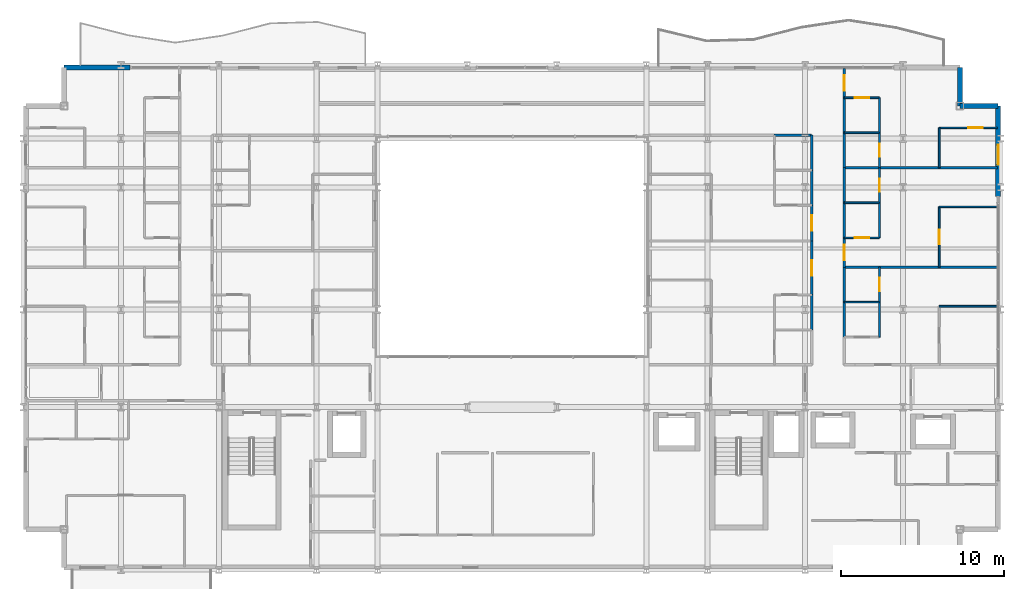
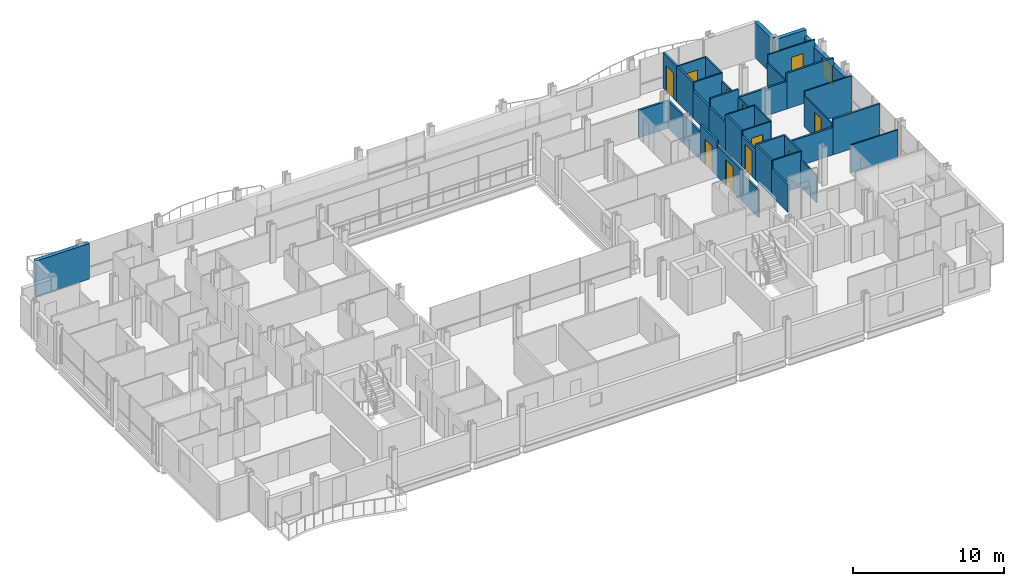
# One storey, part 36 of 40: 40 walls, 11 doors, 1 window, 12 openings.
"""IFC4 building model written with IfcOpenShell, lengths in metres."""

import ifcopenshell
import ifcopenshell.guid

model = None  # the IFC model being written
_history = None  # IfcOwnerHistory: only IFC2X3 demands one
_inside = {}  # id of a spatial element -> (the spatial element, [elements in it])
_under = {}  # id of a project, library or spatial element -> (it, [spatial elements below it])
_declared = {}  # id of a project -> (the project, [libraries it declares])
_typed = {}  # id of a type object -> (the type object, [elements of that type])
_made_of = {}  # id of a material, layer set ... -> (it, [elements and type objects made of it])


def new_model(schema):
    """Start an empty IFC model of exactly this schema.

    Asked for "IFC4X3", IfcOpenShell would pick the latest addendum, in which some entities
    have other attributes; the version numbers below select the first issue.
    IFC2X3 requires an IfcOwnerHistory on every rooted entity: one is made here for all.
    """
    global model, _history
    if schema == "IFC4X3":
        model = ifcopenshell.file(schema_version=(4, 3, 0, 0))
    else:
        model = ifcopenshell.file(schema=schema)
    _inside.clear()
    _under.clear()
    _declared.clear()
    _typed.clear()
    _made_of.clear()
    _history = None
    if model.schema == "IFC2X3":
        org = make("IfcOrganization", Name="unknown")
        user = make(
            "IfcPersonAndOrganization",
            ThePerson=make("IfcPerson", FamilyName="unknown"),
            TheOrganization=org,
        )
        app = make(
            "IfcApplication",
            ApplicationDeveloper=org,
            Version="unknown",
            ApplicationFullName="unknown",
            ApplicationIdentifier="unknown",
        )
        _history = make(
            "IfcOwnerHistory",
            OwningUser=user,
            OwningApplication=app,
            ChangeAction="ADDED",
            CreationDate=0,
        )
    return model


def make(cls, **values):
    """One entity of the class cls with the attributes given. An attribute that is None is left unset."""
    return model.create_entity(
        cls, **{name: value for name, value in values.items() if value is not None}
    )


def rooted(cls, **values):
    """An entity with a GlobalId (a new one), such as an element, a storey or a relation."""
    return make(cls, GlobalId=ifcopenshell.guid.new(), OwnerHistory=_history, **values)


def si_unit(unit_type, name, prefix=None):
    """IfcSIUnit, for example si_unit("LENGTHUNIT", "METRE", prefix="MILLI")."""
    return make("IfcSIUnit", UnitType=unit_type, Prefix=prefix, Name=name)


def assignment(units):
    """IfcUnitAssignment: the units of a project."""
    return None if units is None else make("IfcUnitAssignment", Units=units)


def point(xyz):
    """IfcCartesianPoint."""
    return None if xyz is None else make("IfcCartesianPoint", Coordinates=xyz)


def direction(xyz):
    """IfcDirection."""
    return None if xyz is None else make("IfcDirection", DirectionRatios=xyz)


def frame(location, z_axis=None, x_axis=None):
    """IfcAxis2Placement3D, a coordinate frame: its origin and axes. An axis left out is left unset."""
    return make(
        "IfcAxis2Placement3D",
        Location=point(location),
        Axis=direction(z_axis),
        RefDirection=direction(x_axis),
    )


def frame_2d(location, x_axis=None):
    """IfcAxis2Placement2D, a coordinate frame in the plane: its origin and x axis."""
    return make(
        "IfcAxis2Placement2D", Location=point(location), RefDirection=direction(x_axis)
    )


def origin():
    """The frame at (0, 0, 0) with its axes left unset."""
    return frame((0.0, 0.0, 0.0))


def place(relative_to, where):
    """IfcLocalPlacement: puts the frame where relative to a parent placement (None: the world)."""
    return make(
        "IfcLocalPlacement", PlacementRelTo=relative_to, RelativePlacement=where
    )


def context(
    kind, dimensions, precision=None, world=None, true_north=None, identifier=None
):
    """IfcGeometricRepresentationContext, for example the 3D "Model" context."""
    return make(
        "IfcGeometricRepresentationContext",
        ContextIdentifier=identifier,
        ContextType=kind,
        CoordinateSpaceDimension=dimensions,
        Precision=precision,
        WorldCoordinateSystem=world,
        TrueNorth=true_north,
    )


def subcontext(parent, identifier, kind, view, scale=None):
    """IfcGeometricRepresentationSubContext, for example "Body" below "Model"."""
    return make(
        "IfcGeometricRepresentationSubContext",
        ContextIdentifier=identifier,
        ContextType=kind,
        ParentContext=parent,
        TargetScale=scale,
        TargetView=view,
    )


def project(units=None, contexts=None):
    """IfcProject with its units and contexts."""
    return rooted(
        "IfcProject",
        Name="project",
        RepresentationContexts=contexts,
        UnitsInContext=assignment(units),
    )


def spatial(cls, under=None, at=None, **own):
    """A site, building, storey or space (cls), placed at a placement, below another one or the project."""
    s = rooted(cls, ObjectPlacement=at, **own)
    if under is not None:
        _under.setdefault(under.id(), (under, []))[1].append(s)
    return s


def profile(cls, at=None, kind="AREA", **sizes):
    """A parametric profile (cls). Its sizes go by their IFC names, for example OverallWidth=200.0."""
    return make(cls, ProfileType=kind, Position=at, **sizes)


def rectangle(**sizes):
    """IfcRectangleProfileDef."""
    return profile("IfcRectangleProfileDef", **sizes)


def extrude(swept, where, along, depth):
    """IfcExtrudedAreaSolid: the profile swept, set in the frame where, extruded along a direction by depth."""
    return make(
        "IfcExtrudedAreaSolid",
        SweptArea=swept,
        Position=where,
        ExtrudedDirection=direction(along),
        Depth=depth,
    )


def shape(context_of_items, identifier, shape_type, items):
    """IfcShapeRepresentation: the items that make up one representation, for example the "Body"."""
    return make(
        "IfcShapeRepresentation",
        ContextOfItems=context_of_items,
        RepresentationIdentifier=identifier,
        RepresentationType=shape_type,
        Items=items,
    )


def material(Name=None, Category=None):
    """IfcMaterial."""
    return make("IfcMaterial", Name=Name, Category=Category)


def layer(
    of_material, thickness, ventilated=None, Name=None, Category=None, Priority=None
):
    """IfcMaterialLayer: one layer of a wall or slab, of a material (None: an air gap)."""
    return make(
        "IfcMaterialLayer",
        Material=of_material,
        LayerThickness=thickness,
        IsVentilated=ventilated,
        Name=Name,
        Category=Category,
        Priority=Priority,
    )


def layer_set(layers, Name=None):
    """IfcMaterialLayerSet."""
    return make("IfcMaterialLayerSet", MaterialLayers=layers, LayerSetName=Name)


def made_of(thing, what):
    """Note that an element or type object is made of a material, layer set ...; save() writes the relation."""
    if what is not None:
        _made_of.setdefault(what.id(), (what, []))[1].append(thing)
    return thing


def type_object(cls, material=None, **own):
    """A type object (cls), such as IfcWallType, which elements share."""
    return made_of(rooted(cls, **own), material)


def element(
    cls,
    number,
    at=None,
    inside=None,
    cuts=None,
    type_object=None,
    material=None,
    context=None,
    identifier="Body",
    shape_type=None,
    held_by="IfcProductDefinitionShape",
    body=None,
    shapes=None,
    **own,
):
    """One element of the class cls, such as IfcWall. Its Tag is "e" and its number.

    at: its placement. inside: the storey or other place that contains it. cuts: it is an
    opening in that element (IfcRelVoidsElement). A single representation is given by context,
    identifier, shape_type and body (its items); several are given by shapes. held_by: the class
    of the entity that holds the representations. save() writes the other relations.
    """
    e = rooted(cls, Tag="e%d" % number, ObjectPlacement=at, **own)
    if body is not None:
        shapes = [shape(context, identifier, shape_type, body)]
    if shapes is not None:
        e.Representation = make(held_by, Representations=shapes)
    if inside is not None:
        _inside.setdefault(inside.id(), (inside, []))[1].append(e)
    if cuts is not None:
        rooted(
            "IfcRelVoidsElement", RelatingBuildingElement=cuts, RelatedOpeningElement=e
        )
    if type_object is not None:
        _typed.setdefault(type_object.id(), (type_object, []))[1].append(e)
    return made_of(e, material)


def fill(opening, filler):
    """IfcRelFillsElement: the door or window that sits in an opening."""
    return rooted(
        "IfcRelFillsElement",
        RelatingOpeningElement=opening,
        RelatedBuildingElement=filler,
    )


def aggregate(whole, parts):
    """IfcRelAggregates: a whole, such as a stair, and the parts it consists of."""
    return rooted("IfcRelAggregates", RelatingObject=whole, RelatedObjects=parts)


def save(model, path):
    """Write the relations noted so far, then the file.

    IfcRelAggregates (storeys below a building ...), IfcRelContainedInSpatialStructure (elements
    in a storey), IfcRelDefinesByType, IfcRelAssociatesMaterial and IfcRelDeclares: one each for
    every whole, place, type object, material and project.
    """
    for whole, parts in _under.values():
        aggregate(whole, parts)
    for where, things in _inside.values():
        rooted(
            "IfcRelContainedInSpatialStructure",
            RelatedElements=things,
            RelatingStructure=where,
        )
    for kind, things in _typed.values():
        rooted("IfcRelDefinesByType", RelatedObjects=things, RelatingType=kind)
    for what, things in _made_of.values():
        rooted("IfcRelAssociatesMaterial", RelatedObjects=things, RelatingMaterial=what)
    for by, libraries in _declared.values():
        rooted("IfcRelDeclares", RelatingContext=by, RelatedDefinitions=libraries)
    model.write(path)


model = new_model("IFC4")

# Units and contexts
model_context = context("Model", 3, precision=1e-05, world=origin(), true_north=direction((0.0, 1.0)))
body_context = subcontext(model_context, "Body", "Model", "MODEL_VIEW")
ifc_project = project(units=[si_unit("LENGTHUNIT", "METRE"), si_unit("AREAUNIT", "SQUARE_METRE"), si_unit("VOLUMEUNIT", "CUBIC_METRE"), si_unit("PLANEANGLEUNIT", "RADIAN"), si_unit("MASSUNIT", "GRAM", prefix="KILO")], contexts=[model_context])

# Site, building, storey
site_placement = place(None, origin())
site = spatial("IfcSite", under=ifc_project, at=site_placement, CompositionType="ELEMENT")
building_placement = place(site_placement, origin())
building = spatial("IfcBuilding", under=site, at=building_placement, Name="Brevholm Reach", CompositionType="ELEMENT")
storey_placement = place(building_placement, frame((0.0, 0.0, 31.10009765625)))
storey = spatial("IfcBuildingStorey", under=building, at=storey_placement, Name="L07", CompositionType="ELEMENT", Elevation=31.10009765625)

# Walls
ifc_material_1 = material(Name="Concrete C40/50", Category="concrete")
ifc_layer_1 = layer(ifc_material_1, 0.300048828125)
ifc_layer_set_1 = layer_set([ifc_layer_1], Name="Concrete C40/50")
wall_type_1 = type_object("IfcWallType", Name="WAL-EXT-300", PredefinedType="STANDARD", material=ifc_layer_set_1)
for number, where, z_axis, x_axis, name in (
    (1, (59.85009765625, 28.5, 0.0), (0.0, 0.0, 1.0), (-1.0, 0.0, 0.0), "L07 Facade Wall WAL-L07-CNE1"),
    (2, (57.5, 28.5, 0.0), (0.0, 0.0, 1.0), (0.0, 1.0, 0.0), "L07 Facade Wall WAL-L07-CNE2"),
):
    element("IfcWall", number, at=place(storey_placement, frame(where, z_axis=z_axis, x_axis=x_axis)), inside=storey, type_object=wall_type_1, Name=name, PredefinedType="STANDARD", context=body_context, shape_type="SweptSolid", body=[
        extrude(rectangle(XDim=2.35009765625, YDim=0.300048828125, at=frame_2d((1.175048828125, 0.0))), origin(), (0.0, 0.0, 1.0), 2.869873046875),
    ])

# Wall, opening, window
wall_1_placement = place(storey_placement, frame((59.85009765625, 22.949951171875, 0.0), z_axis=(0.0, 0.0, 1.0), x_axis=(0.0, 1.0, 0.0)))
wall_1 = element("IfcWall", 3, at=wall_1_placement, inside=storey, type_object=wall_type_1, Name="L07 Facade Wall WAL-L07-E-N", PredefinedType="STANDARD", context=body_context, shape_type="SweptSolid", body=[
    extrude(rectangle(XDim=5.550048828125, YDim=0.300048828125, at=frame_2d((2.77490234375, 0.0))), origin(), (0.0, 0.0, 1.0), 2.305419921875),
])
opening_1_placement = place(wall_1_placement, frame((1.949951171875, 0.0, 0.486083984375)))
opening_1 = element("IfcOpeningElement", 4, at=opening_1_placement, cuts=wall_1, Name="Opening WN-08", PredefinedType="OPENING", context=body_context, shape_type="SweptSolid", body=[
    extrude(rectangle(XDim=1.199951171875, YDim=1.60009765625, at=frame_2d((0.60009765625, 0.800048828125))), frame((0.0, 0.159912109375, 0.0), z_axis=(0.0, -1.0, 0.0), x_axis=(1.0, 0.0, 0.0)), (0.0, 0.0, 1.0), 0.320068359375),
])
ifc_material_2 = material(Name="Dark Anodised Aluminium and Solar-Control IGU Glass", Category="aluminium")
window_type = type_object("IfcWindowType", Name="WIN-RES-1200", PartitioningType="SINGLE_PANEL", PredefinedType="WINDOW", material=ifc_material_2)
window_placement = place(opening_1_placement, origin())
window = element("IfcWindow", 5, at=window_placement, inside=storey, type_object=window_type, Name="L07 Window WIN-L07-EN-1", OverallHeight=1.60009765625, OverallWidth=1.199951171875, PartitioningType="SINGLE_PANEL", PredefinedType="WINDOW", context=body_context, shape_type="SweptSolid", body=[
    extrude(rectangle(XDim=1.199951171875, YDim=1.60009765625, at=frame_2d((0.60009765625, 0.800048828125))), frame((0.0, 0.030029296875, 0.0), z_axis=(0.0, -1.0, 0.0), x_axis=(1.0, 0.0, 0.0)), (0.0, 0.0, 1.0), 0.06005859375),
])
fill(opening_1, window)

# Walls
wall_2_placement = place(storey_placement, frame((2.5, 30.85009765625, 0.0), z_axis=(0.0, 0.0, 1.0), x_axis=(1.0, 0.0, 0.0)))
element("IfcWall", 6, at=wall_2_placement, inside=storey, type_object=wall_type_1, Name="L07 Facade Wall WAL-L07-NP-W0", PredefinedType="STANDARD", context=body_context, shape_type="SweptSolid", body=[
    extrude(rectangle(XDim=4.050048828125, YDim=0.300048828125, at=frame_2d((2.02490234375, 0.0))), origin(), (0.0, 0.0, 1.0), 2.869873046875),
])
ifc_material_3 = material(Name="Moisture-Resistant Acoustic Gypsum Stud Partition 100 mm", Category="gypsum")
ifc_layer_2 = layer(ifc_material_3, 0.10009765625)
ifc_layer_set_2 = layer_set([ifc_layer_2], Name="Moisture-Resistant Acoustic Gypsum Stud Partition 100 mm")
wall_type_2 = type_object("IfcWallType", Name="WAL-PRT-100", PredefinedType="PARTITIONING", material=ifc_layer_set_2)
wall_3_placement = place(storey_placement, frame((50.404052734375, 16.449951171875, 0.0), z_axis=(0.0, 0.0, 1.0), x_axis=(1.0, 0.0, 0.0)))
element("IfcWall", 7, at=wall_3_placement, inside=storey, type_object=wall_type_2, Name="L07 Internal Partition 143", PredefinedType="PARTITIONING", context=body_context, shape_type="SweptSolid", body=[
    extrude(rectangle(XDim=2.157958984375, YDim=0.10009765625, at=frame_2d((1.0791015625, 0.0))), origin(), (0.0, 0.0, 1.0), 2.869873046875),
])

# Wall, opening, door
wall_4_placement = place(storey_placement, frame((52.56201171875, 16.449951171875, 0.0), z_axis=(0.0, 0.0, 1.0), x_axis=(0.0, 1.0, 0.0)))
wall_4 = element("IfcWall", 8, at=wall_4_placement, inside=storey, type_object=wall_type_2, Name="L07 Internal Partition 144", PredefinedType="PARTITIONING", context=body_context, shape_type="SweptSolid", body=[
    extrude(rectangle(XDim=2.150146484375, YDim=0.10009765625, at=frame_2d((1.0751953125, 0.0))), origin(), (0.0, 0.0, 1.0), 2.869873046875),
])
opening_2_placement = place(wall_4_placement, frame((0.6650390625, 0.0, 0.0)))
opening_2 = element("IfcOpeningElement", 9, at=opening_2_placement, cuts=wall_4, Name="Opening ID-03", PredefinedType="OPENING", context=body_context, shape_type="SweptSolid", body=[
    extrude(rectangle(XDim=0.820068359375, YDim=2.02001953125, at=frame_2d((0.41015625, 1.010009765625))), frame((0.0, 0.06005859375, 0.0), z_axis=(0.0, -1.0, 0.0), x_axis=(1.0, 0.0, 0.0)), (0.0, 0.0, 1.0), 0.1201171875),
])
ifc_material_4 = material(Name="Moisture-Resistant Painted Timber Internal Bathroom Door", Category="wood")
door_type_1 = type_object("IfcDoorType", Name="DOR-BATH-820", OperationType="NOTDEFINED", PredefinedType="DOOR", material=ifc_material_4)
door_1_placement = place(opening_2_placement, origin())
door_1 = element("IfcDoor", 10, at=door_1_placement, inside=storey, type_object=door_type_1, Name="L07 Internal Door 054", OperationType="SINGLE_SWING_LEFT", OverallHeight=2.02001953125, OverallWidth=0.820068359375, PredefinedType="DOOR", context=body_context, shape_type="SweptSolid", body=[
    extrude(rectangle(XDim=0.820068359375, YDim=2.02001953125, at=frame_2d((0.41015625, 1.010009765625))), frame((0.0, 0.02490234375, 0.0), z_axis=(0.0, -1.0, 0.0), x_axis=(1.0, 0.0, 0.0)), (0.0, 0.0, 1.0), 0.050048828125),
])
fill(opening_2, door_1)

# Walls
wall_5_placement = place(storey_placement, frame((52.56201171875, 14.300048828125, 0.0), z_axis=(0.0, 0.0, 1.0), x_axis=(0.0, 1.0, 0.0)))
element("IfcWall", 11, at=wall_5_placement, inside=storey, type_object=wall_type_2, Name="L07 Internal Partition 147", PredefinedType="PARTITIONING", context=body_context, shape_type="SweptSolid", body=[
    extrude(rectangle(XDim=2.14599609375, YDim=0.10009765625, at=frame_2d((1.072998046875, 0.0))), origin(), (0.0, 0.0, 1.0), 2.224609375),
])
wall_6_placement = place(storey_placement, frame((56.22802734375, 16.199951171875, 0.0), z_axis=(0.0, 0.0, 1.0), x_axis=(1.0, 0.0, 0.0)))
element("IfcWall", 12, at=wall_6_placement, inside=storey, type_object=wall_type_2, Name="L07 Internal Partition 148", PredefinedType="PARTITIONING", context=body_context, shape_type="SweptSolid", body=[
    extrude(rectangle(XDim=3.572021484375, YDim=0.10009765625, at=frame_2d((1.7861328125, 0.0))), origin(), (0.0, 0.0, 1.0), 2.224609375),
])
wall_7_placement = place(storey_placement, frame((50.404052734375, 22.550048828125, 0.0), z_axis=(0.0, 0.0, 1.0), x_axis=(1.0, 0.0, 0.0)))
element("IfcWall", 13, at=wall_7_placement, inside=storey, type_object=wall_type_2, Name="L07 Internal Partition 152", PredefinedType="PARTITIONING", context=body_context, shape_type="SweptSolid", body=[
    extrude(rectangle(XDim=2.157958984375, YDim=0.10009765625, at=frame_2d((1.0791015625, 0.0))), origin(), (0.0, 0.0, 1.0), 2.869873046875),
])

# Wall, opening, door
wall_8_placement = place(storey_placement, frame((52.56201171875, 22.550048828125, 0.0), z_axis=(0.0, 0.0, 1.0), x_axis=(0.0, 1.0, 0.0)))
wall_8 = element("IfcWall", 14, at=wall_8_placement, inside=storey, type_object=wall_type_2, Name="L07 Internal Partition 153", PredefinedType="PARTITIONING", context=body_context, shape_type="SweptSolid", body=[
    extrude(rectangle(XDim=2.14990234375, YDim=0.10009765625, at=frame_2d((1.074951171875, 0.0))), origin(), (0.0, 0.0, 1.0), 2.224609375),
])
opening_3_placement = place(wall_8_placement, frame((0.6650390625, 0.0, 0.0)))
opening_3 = element("IfcOpeningElement", 15, at=opening_3_placement, cuts=wall_8, Name="Opening ID-03", PredefinedType="OPENING", context=body_context, shape_type="SweptSolid", body=[
    extrude(rectangle(XDim=0.820068359375, YDim=2.02001953125, at=frame_2d((0.41015625, 1.010009765625))), frame((0.0, 0.06005859375, 0.0), z_axis=(0.0, -1.0, 0.0), x_axis=(1.0, 0.0, 0.0)), (0.0, 0.0, 1.0), 0.1201171875),
])
door_2_placement = place(opening_3_placement, origin())
door_2 = element("IfcDoor", 16, at=door_2_placement, inside=storey, type_object=door_type_1, Name="L07 Internal Door 057", OperationType="SINGLE_SWING_RIGHT", OverallHeight=2.02001953125, OverallWidth=0.820068359375, PredefinedType="DOOR", context=body_context, shape_type="SweptSolid", body=[
    extrude(rectangle(XDim=0.820068359375, YDim=2.02001953125, at=frame_2d((0.41015625, 1.010009765625))), frame((0.0, 0.02490234375, 0.0), z_axis=(0.0, -1.0, 0.0), x_axis=(1.0, 0.0, 0.0)), (0.0, 0.0, 1.0), 0.050048828125),
])
fill(opening_3, door_2)

wall_9_placement = place(storey_placement, frame((50.404052734375, 20.39990234375, 0.0), z_axis=(0.0, 0.0, 1.0), x_axis=(1.0, 0.0, 0.0)))
wall_9 = element("IfcWall", 17, at=wall_9_placement, inside=storey, type_object=wall_type_2, Name="L07 Internal Partition 155", PredefinedType="PARTITIONING", context=body_context, shape_type="SweptSolid", body=[
    extrude(rectangle(XDim=2.157958984375, YDim=0.10009765625, at=frame_2d((1.0791015625, 0.0))), origin(), (0.0, 0.0, 1.0), 2.869873046875),
])
opening_4_placement = place(wall_9_placement, frame((0.638916015625, 0.0, 0.0)))
opening_4 = element("IfcOpeningElement", 18, at=opening_4_placement, cuts=wall_9, Name="Opening ID-01", PredefinedType="OPENING", context=body_context, shape_type="SweptSolid", body=[
    extrude(rectangle(XDim=0.8798828125, YDim=2.0400390625, at=frame_2d((0.43994140625, 1.02001953125))), frame((0.0, 0.06005859375, 0.0), z_axis=(0.0, -1.0, 0.0), x_axis=(1.0, 0.0, 0.0)), (0.0, 0.0, 1.0), 0.1201171875),
])
ifc_material_5 = material(Name="Lacquered Ash Solid-Core Acoustic Internal Door", Category="timber")
door_type_2 = type_object("IfcDoorType", Name="DOR-INT-880", OperationType="NOTDEFINED", PredefinedType="DOOR", material=ifc_material_5)
door_3_placement = place(opening_4_placement, origin())
door_3 = element("IfcDoor", 19, at=door_3_placement, inside=storey, type_object=door_type_2, Name="L07 Internal Door 058", OperationType="SINGLE_SWING_LEFT", OverallHeight=2.0400390625, OverallWidth=0.8798828125, PredefinedType="DOOR", context=body_context, shape_type="SweptSolid", body=[
    extrude(rectangle(XDim=0.8798828125, YDim=2.0400390625, at=frame_2d((0.43994140625, 1.02001953125))), frame((0.0, 0.02490234375, 0.0), z_axis=(0.0, -1.0, 0.0), x_axis=(1.0, 0.0, 0.0)), (0.0, 0.0, 1.0), 0.050048828125),
])
fill(opening_4, door_3)

# Walls
wall_10_placement = place(storey_placement, frame((52.56201171875, 20.39990234375, 0.0), z_axis=(0.0, 0.0, 1.0), x_axis=(0.0, 1.0, 0.0)))
element("IfcWall", 20, at=wall_10_placement, inside=storey, type_object=wall_type_2, Name="L07 Internal Partition 156", PredefinedType="PARTITIONING", context=body_context, shape_type="SweptSolid", body=[
    extrude(rectangle(XDim=2.14599609375, YDim=0.10009765625, at=frame_2d((1.072998046875, 0.0))), origin(), (0.0, 0.0, 1.0), 2.869873046875),
])
wall_11_placement = place(storey_placement, frame((56.22802734375, 22.300048828125, 0.0), z_axis=(0.0, 0.0, 1.0), x_axis=(1.0, 0.0, 0.0)))
element("IfcWall", 21, at=wall_11_placement, inside=storey, type_object=wall_type_2, Name="L07 Internal Partition 157", PredefinedType="PARTITIONING", context=body_context, shape_type="SweptSolid", body=[
    extrude(rectangle(XDim=3.572021484375, YDim=0.10009765625, at=frame_2d((1.7861328125, 0.0))), origin(), (0.0, 0.0, 1.0), 2.869873046875),
])

# Wall, opening, door
wall_12_placement = place(storey_placement, frame((56.22802734375, 18.60400390625, 0.0), z_axis=(0.0, 0.0, 1.0), x_axis=(0.0, 1.0, 0.0)))
wall_12 = element("IfcWall", 22, at=wall_12_placement, inside=storey, type_object=wall_type_2, Name="L07 Internal Partition 158", PredefinedType="PARTITIONING", context=body_context, shape_type="SweptSolid", body=[
    extrude(rectangle(XDim=3.696044921875, YDim=0.10009765625, at=frame_2d((1.84814453125, 0.0))), origin(), (0.0, 0.0, 1.0), 2.489990234375),
])
opening_5_placement = place(wall_12_placement, frame((1.407958984375, 0.0, 0.0)))
opening_5 = element("IfcOpeningElement", 23, at=opening_5_placement, cuts=wall_12, Name="Opening ID-01", PredefinedType="OPENING", context=body_context, shape_type="SweptSolid", body=[
    extrude(rectangle(XDim=0.8798828125, YDim=2.0400390625, at=frame_2d((0.43994140625, 1.02001953125))), frame((0.0, 0.06005859375, 0.0), z_axis=(0.0, -1.0, 0.0), x_axis=(1.0, 0.0, 0.0)), (0.0, 0.0, 1.0), 0.1201171875),
])
door_4_placement = place(opening_5_placement, origin())
door_4 = element("IfcDoor", 24, at=door_4_placement, inside=storey, type_object=door_type_2, Name="L07 Internal Door 059", OperationType="SINGLE_SWING_RIGHT", OverallHeight=2.0400390625, OverallWidth=0.8798828125, PredefinedType="DOOR", context=body_context, shape_type="SweptSolid", body=[
    extrude(rectangle(XDim=0.8798828125, YDim=2.0400390625, at=frame_2d((0.43994140625, 1.02001953125))), frame((0.0, 0.02490234375, 0.0), z_axis=(0.0, -1.0, 0.0), x_axis=(1.0, 0.0, 0.0)), (0.0, 0.0, 1.0), 0.050048828125),
])
fill(opening_5, door_4)

# Wall
wall_13_placement = place(storey_placement, frame((50.404052734375, 26.85009765625, 0.0), z_axis=(0.0, 0.0, 1.0), x_axis=(1.0, 0.0, 0.0)))
element("IfcWall", 25, at=wall_13_placement, inside=storey, type_object=wall_type_2, Name="L07 Internal Partition 161", PredefinedType="PARTITIONING", context=body_context, shape_type="SweptSolid", body=[
    extrude(rectangle(XDim=2.157958984375, YDim=0.10009765625, at=frame_2d((1.0791015625, 0.0))), origin(), (0.0, 0.0, 1.0), 2.869873046875),
])

# Wall, opening, door
wall_14_placement = place(storey_placement, frame((52.56201171875, 24.7041015625, 0.0), z_axis=(0.0, 0.0, 1.0), x_axis=(0.0, 1.0, 0.0)))
wall_14 = element("IfcWall", 26, at=wall_14_placement, inside=storey, type_object=wall_type_2, Name="L07 Internal Partition 162", PredefinedType="PARTITIONING", context=body_context, shape_type="SweptSolid", body=[
    extrude(rectangle(XDim=2.14599609375, YDim=0.10009765625, at=frame_2d((1.072998046875, 0.0))), origin(), (0.0, 0.0, 1.0), 2.224609375),
])
opening_6_placement = place(wall_14_placement, frame((0.6630859375, 0.0, 0.0)))
opening_6 = element("IfcOpeningElement", 27, at=opening_6_placement, cuts=wall_14, Name="Opening ID-03", PredefinedType="OPENING", context=body_context, shape_type="SweptSolid", body=[
    extrude(rectangle(XDim=0.820068359375, YDim=2.02001953125, at=frame_2d((0.41015625, 1.010009765625))), frame((0.0, 0.06005859375, 0.0), z_axis=(0.0, -1.0, 0.0), x_axis=(1.0, 0.0, 0.0)), (0.0, 0.0, 1.0), 0.1201171875),
])
door_5_placement = place(opening_6_placement, origin())
door_5 = element("IfcDoor", 28, at=door_5_placement, inside=storey, type_object=door_type_1, Name="L07 Internal Door 060", OperationType="SINGLE_SWING_LEFT", OverallHeight=2.02001953125, OverallWidth=0.820068359375, PredefinedType="DOOR", context=body_context, shape_type="SweptSolid", body=[
    extrude(rectangle(XDim=0.820068359375, YDim=2.02001953125, at=frame_2d((0.41015625, 1.010009765625))), frame((0.0, 0.02490234375, 0.0), z_axis=(0.0, -1.0, 0.0), x_axis=(1.0, 0.0, 0.0)), (0.0, 0.0, 1.0), 0.050048828125),
])
fill(opening_6, door_5)

# Wall
wall_15_placement = place(storey_placement, frame((52.56201171875, 26.85400390625, 0.0), z_axis=(0.0, 0.0, 1.0), x_axis=(0.0, 1.0, 0.0)))
element("IfcWall", 29, at=wall_15_placement, inside=storey, type_object=wall_type_2, Name="L07 Internal Partition 163", PredefinedType="PARTITIONING", context=body_context, shape_type="SweptSolid", body=[
    extrude(rectangle(XDim=2.14599609375, YDim=0.10009765625, at=frame_2d((1.072998046875, 0.0))), origin(), (0.0, 0.0, 1.0), 2.869873046875),
])

# Wall, opening, door
wall_16_placement = place(storey_placement, frame((50.404052734375, 29.0, 0.0), z_axis=(0.0, 0.0, 1.0), x_axis=(1.0, 0.0, 0.0)))
wall_16 = element("IfcWall", 30, at=wall_16_placement, inside=storey, type_object=wall_type_2, Name="L07 Internal Partition 164", PredefinedType="PARTITIONING", context=body_context, shape_type="SweptSolid", body=[
    extrude(rectangle(XDim=2.157958984375, YDim=0.10009765625, at=frame_2d((1.0791015625, 0.0))), origin(), (0.0, 0.0, 1.0), 2.869873046875),
])
opening_7_placement = place(wall_16_placement, frame((0.638916015625, 0.0, 0.0)))
opening_7 = element("IfcOpeningElement", 31, at=opening_7_placement, cuts=wall_16, Name="Opening ID-01", PredefinedType="OPENING", context=body_context, shape_type="SweptSolid", body=[
    extrude(rectangle(XDim=0.8798828125, YDim=2.0400390625, at=frame_2d((0.43994140625, 1.02001953125))), frame((0.0, 0.06005859375, 0.0), z_axis=(0.0, -1.0, 0.0), x_axis=(1.0, 0.0, 0.0)), (0.0, 0.0, 1.0), 0.1201171875),
])
door_6_placement = place(opening_7_placement, origin())
door_6 = element("IfcDoor", 32, at=door_6_placement, inside=storey, type_object=door_type_2, Name="L07 Internal Door 061", OperationType="SINGLE_SWING_RIGHT", OverallHeight=2.0400390625, OverallWidth=0.8798828125, PredefinedType="DOOR", context=body_context, shape_type="SweptSolid", body=[
    extrude(rectangle(XDim=0.8798828125, YDim=2.0400390625, at=frame_2d((0.43994140625, 1.02001953125))), frame((0.0, 0.02490234375, 0.0), z_axis=(0.0, -1.0, 0.0), x_axis=(1.0, 0.0, 0.0)), (0.0, 0.0, 1.0), 0.050048828125),
])
fill(opening_7, door_6)

wall_17_placement = place(storey_placement, frame((56.22802734375, 27.14990234375, 0.0), z_axis=(0.0, 0.0, 1.0), x_axis=(1.0, 0.0, 0.0)))
wall_17 = element("IfcWall", 33, at=wall_17_placement, inside=storey, type_object=wall_type_2, Name="L07 Internal Partition 165", PredefinedType="PARTITIONING", context=body_context, shape_type="SweptSolid", body=[
    extrude(rectangle(XDim=3.572021484375, YDim=0.10009765625, at=frame_2d((1.7861328125, 0.0))), origin(), (0.0, 0.0, 1.0), 2.869873046875),
])
opening_8_placement = place(wall_17_placement, frame((1.785888671875, 0.0, 0.0)))
opening_8 = element("IfcOpeningElement", 34, at=opening_8_placement, cuts=wall_17, Name="Opening ID-01", PredefinedType="OPENING", context=body_context, shape_type="SweptSolid", body=[
    extrude(rectangle(XDim=0.8798828125, YDim=2.0400390625, at=frame_2d((0.43994140625, 1.02001953125))), frame((0.0, 0.06005859375, 0.0), z_axis=(0.0, -1.0, 0.0), x_axis=(1.0, 0.0, 0.0)), (0.0, 0.0, 1.0), 0.1201171875),
])
door_7_placement = place(opening_8_placement, origin())
door_7 = element("IfcDoor", 35, at=door_7_placement, inside=storey, type_object=door_type_2, Name="L07 Internal Door 062", OperationType="SINGLE_SWING_LEFT", OverallHeight=2.0400390625, OverallWidth=0.8798828125, PredefinedType="DOOR", context=body_context, shape_type="SweptSolid", body=[
    extrude(rectangle(XDim=0.8798828125, YDim=2.0400390625, at=frame_2d((0.43994140625, 1.02001953125))), frame((0.0, 0.02490234375, 0.0), z_axis=(0.0, -1.0, 0.0), x_axis=(1.0, 0.0, 0.0)), (0.0, 0.0, 1.0), 0.050048828125),
])
fill(opening_8, door_7)

# Walls
wall_18_placement = place(storey_placement, frame((56.22802734375, 24.7041015625, 0.0), z_axis=(0.0, 0.0, 1.0), x_axis=(0.0, 1.0, 0.0)))
element("IfcWall", 36, at=wall_18_placement, inside=storey, type_object=wall_type_2, Name="L07 Internal Partition 166", PredefinedType="PARTITIONING", context=body_context, shape_type="SweptSolid", body=[
    extrude(rectangle(XDim=2.44580078125, YDim=0.10009765625, at=frame_2d((1.222900390625, 0.0))), origin(), (0.0, 0.0, 1.0), 2.224609375),
])
ifc_material_6 = material(Name="Twin-Stud Acoustic Fire-Rated Gypsum Partition 140 mm", Category="gypsum")
ifc_layer_3 = layer(ifc_material_6, 0.139892578125)
ifc_layer_set_3 = layer_set([ifc_layer_3], Name="Twin-Stud Acoustic Fire-Rated Gypsum Partition 140 mm")
wall_type_3 = type_object("IfcWallType", Name="WAL-PRT-140", PredefinedType="PARTITIONING", material=ifc_layer_set_3)
wall_19_placement = place(storey_placement, frame((48.39990234375, 14.74267578125, 0.0), z_axis=(0.0, 0.0, 1.0), x_axis=(0.0, 1.0, 0.0)))
element("IfcWall", 37, at=wall_19_placement, inside=storey, type_object=wall_type_3, Name="L07 Internal Partition 051", PredefinedType="PARTITIONING", context=body_context, shape_type="SweptSolid", body=[
    extrude(rectangle(XDim=2.168701171875, YDim=0.139892578125, at=frame_2d((1.08447265625, 0.0))), origin(), (0.0, 0.0, 1.0), 2.224609375),
])

# Wall, opening, door
wall_20_placement = place(storey_placement, frame((48.39990234375, 16.892578125, 0.0), z_axis=(0.0, 0.0, 1.0), x_axis=(0.0, 1.0, 0.0)))
wall_20 = element("IfcWall", 38, at=wall_20_placement, inside=storey, type_object=wall_type_3, Name="L07 Internal Partition 052", PredefinedType="PARTITIONING", context=body_context, shape_type="SweptSolid", body=[
    extrude(rectangle(XDim=3.318603515625, YDim=0.139892578125, at=frame_2d((1.6591796875, 0.0))), origin(), (0.0, 0.0, 1.0), 2.489990234375),
])
opening_9_placement = place(wall_20_placement, frame((1.184326171875, 0.0, 0.0)))
opening_9 = element("IfcOpeningElement", 39, at=opening_9_placement, cuts=wall_20, Name="Opening ID-30", PredefinedType="OPENING", context=body_context, shape_type="SweptSolid", body=[
    extrude(rectangle(XDim=0.949951171875, YDim=2.050048828125, at=frame_2d((0.47509765625, 1.02490234375))), frame((0.0, 0.079833984375, 0.0), z_axis=(0.0, -1.0, 0.0), x_axis=(1.0, 0.0, 0.0)), (0.0, 0.0, 1.0), 0.159912109375),
])
ifc_material_7 = material(Name="European Oak Veneered Solid-Core Fire Entrance Door", Category="timber")
door_type_3 = type_object("IfcDoorType", Name="DOR-FLT-FD30S", OperationType="NOTDEFINED", PredefinedType="DOOR", material=ifc_material_7)
door_8_placement = place(opening_9_placement, origin())
door_8 = element("IfcDoor", 40, at=door_8_placement, inside=storey, type_object=door_type_3, Name="L07 Internal Door 022", OperationType="SINGLE_SWING_LEFT", OverallHeight=2.050048828125, OverallWidth=0.949951171875, PredefinedType="DOOR", context=body_context, shape_type="SweptSolid", body=[
    extrude(rectangle(XDim=0.949951171875, YDim=2.050048828125, at=frame_2d((0.47509765625, 1.02490234375))), frame((0.0, 0.02490234375, 0.0), z_axis=(0.0, -1.0, 0.0), x_axis=(1.0, 0.0, 0.0)), (0.0, 0.0, 1.0), 0.050048828125),
])
fill(opening_9, door_8)

# Walls
wall_21_placement = place(storey_placement, frame((48.39990234375, 24.538818359375, 0.0), z_axis=(0.0, 0.0, 1.0), x_axis=(0.0, 1.0, 0.0)))
element("IfcWall", 41, at=wall_21_placement, inside=storey, type_object=wall_type_3, Name="L07 Internal Partition 053", PredefinedType="PARTITIONING", context=body_context, shape_type="SweptSolid", body=[
    extrude(rectangle(XDim=2.16845703125, YDim=0.139892578125, at=frame_2d((1.084228515625, 0.0))), origin(), (0.0, 0.0, 1.0), 2.224609375),
])
wall_22_placement = place(storey_placement, frame((48.39990234375, 22.388671875, 0.0), z_axis=(0.0, 0.0, 1.0), x_axis=(0.0, 1.0, 0.0)))
element("IfcWall", 42, at=wall_22_placement, inside=storey, type_object=wall_type_3, Name="L07 Internal Partition 054", PredefinedType="PARTITIONING", context=body_context, shape_type="SweptSolid", body=[
    extrude(rectangle(XDim=2.168701171875, YDim=0.139892578125, at=frame_2d((1.08447265625, 0.0))), origin(), (0.0, 0.0, 1.0), 2.224609375),
])

# Wall, opening, door
wall_23_placement = place(storey_placement, frame((48.39990234375, 20.192626953125, 0.0), z_axis=(0.0, 0.0, 1.0), x_axis=(0.0, 1.0, 0.0)))
wall_23 = element("IfcWall", 43, at=wall_23_placement, inside=storey, type_object=wall_type_3, Name="L07 Internal Partition 055", PredefinedType="PARTITIONING", context=body_context, shape_type="SweptSolid", body=[
    extrude(rectangle(XDim=2.214599609375, YDim=0.139892578125, at=frame_2d((1.107421875, 0.0))), origin(), (0.0, 0.0, 1.0), 2.869873046875),
])
opening_10_placement = place(wall_23_placement, frame((0.63232421875, 0.0, 0.0)))
opening_10 = element("IfcOpeningElement", 44, at=opening_10_placement, cuts=wall_23, Name="Opening ID-30", PredefinedType="OPENING", context=body_context, shape_type="SweptSolid", body=[
    extrude(rectangle(XDim=0.949951171875, YDim=2.050048828125, at=frame_2d((0.47509765625, 1.02490234375))), frame((0.0, 0.079833984375, 0.0), z_axis=(0.0, -1.0, 0.0), x_axis=(1.0, 0.0, 0.0)), (0.0, 0.0, 1.0), 0.159912109375),
])
door_9_placement = place(opening_10_placement, origin())
door_9 = element("IfcDoor", 45, at=door_9_placement, inside=storey, type_object=door_type_3, Name="L07 Internal Door 023", OperationType="SINGLE_SWING_RIGHT", OverallHeight=2.050048828125, OverallWidth=0.949951171875, PredefinedType="DOOR", context=body_context, shape_type="SweptSolid", body=[
    extrude(rectangle(XDim=0.949951171875, YDim=2.050048828125, at=frame_2d((0.47509765625, 1.02490234375))), frame((0.0, 0.02490234375, 0.0), z_axis=(0.0, -1.0, 0.0), x_axis=(1.0, 0.0, 0.0)), (0.0, 0.0, 1.0), 0.050048828125),
])
fill(opening_10, door_9)

# Walls
wall_24_placement = place(storey_placement, frame((50.39990234375, 16.438720703125, 0.0), z_axis=(0.0, 0.0, 1.0), x_axis=(0.0, 1.0, 0.0)))
element("IfcWall", 46, at=wall_24_placement, inside=storey, type_object=wall_type_3, Name="L07 Internal Partition 056", PredefinedType="PARTITIONING", context=body_context, shape_type="SweptSolid", body=[
    extrude(rectangle(XDim=2.172607421875, YDim=0.139892578125, at=frame_2d((1.08642578125, 0.0))), origin(), (0.0, 0.0, 1.0), 2.869873046875),
])
wall_25_placement = place(storey_placement, frame((50.39990234375, 14.288818359375, 0.0), z_axis=(0.0, 0.0, 1.0), x_axis=(0.0, 1.0, 0.0)))
element("IfcWall", 47, at=wall_25_placement, inside=storey, type_object=wall_type_3, Name="L07 Internal Partition 057", PredefinedType="PARTITIONING", context=body_context, shape_type="SweptSolid", body=[
    extrude(rectangle(XDim=2.16845703125, YDim=0.139892578125, at=frame_2d((1.084228515625, 0.0))), origin(), (0.0, 0.0, 1.0), 2.224609375),
])
wall_26_placement = place(storey_placement, frame((50.39990234375, 22.538818359375, 0.0), z_axis=(0.0, 0.0, 1.0), x_axis=(0.0, 1.0, 0.0)))
element("IfcWall", 48, at=wall_26_placement, inside=storey, type_object=wall_type_3, Name="L07 Internal Partition 059", PredefinedType="PARTITIONING", context=body_context, shape_type="SweptSolid", body=[
    extrude(rectangle(XDim=2.17236328125, YDim=0.139892578125, at=frame_2d((1.086181640625, 0.0))), origin(), (0.0, 0.0, 1.0), 2.224609375),
])
wall_27_placement = place(storey_placement, frame((50.39990234375, 20.388671875, 0.0), z_axis=(0.0, 0.0, 1.0), x_axis=(0.0, 1.0, 0.0)))
element("IfcWall", 49, at=wall_27_placement, inside=storey, type_object=wall_type_3, Name="L07 Internal Partition 060", PredefinedType="PARTITIONING", context=body_context, shape_type="SweptSolid", body=[
    extrude(rectangle(XDim=2.168701171875, YDim=0.139892578125, at=frame_2d((1.08447265625, 0.0))), origin(), (0.0, 0.0, 1.0), 2.869873046875),
])

# Wall, opening, door
wall_28_placement = place(storey_placement, frame((50.39990234375, 18.5927734375, 0.0), z_axis=(0.0, 0.0, 1.0), x_axis=(0.0, 1.0, 0.0)))
wall_28 = element("IfcWall", 50, at=wall_28_placement, inside=storey, type_object=wall_type_3, Name="L07 Internal Partition 061", PredefinedType="PARTITIONING", context=body_context, shape_type="SweptSolid", body=[
    extrude(rectangle(XDim=1.814453125, YDim=0.139892578125, at=frame_2d((0.9072265625, 0.0))), origin(), (0.0, 0.0, 1.0), 2.489990234375),
])
opening_11_placement = place(wall_28_placement, frame((0.432373046875, 0.0, 0.0)))
opening_11 = element("IfcOpeningElement", 51, at=opening_11_placement, cuts=wall_28, Name="Opening ID-30", PredefinedType="OPENING", context=body_context, shape_type="SweptSolid", body=[
    extrude(rectangle(XDim=0.949951171875, YDim=2.050048828125, at=frame_2d((0.47509765625, 1.02490234375))), frame((0.0, 0.079833984375, 0.0), z_axis=(0.0, -1.0, 0.0), x_axis=(1.0, 0.0, 0.0)), (0.0, 0.0, 1.0), 0.159912109375),
])
door_10_placement = place(opening_11_placement, origin())
door_10 = element("IfcDoor", 52, at=door_10_placement, inside=storey, type_object=door_type_3, Name="L07 Internal Door 024", OperationType="SINGLE_SWING_LEFT", OverallHeight=2.050048828125, OverallWidth=0.949951171875, PredefinedType="DOOR", context=body_context, shape_type="SweptSolid", body=[
    extrude(rectangle(XDim=0.949951171875, YDim=2.050048828125, at=frame_2d((0.47509765625, 1.02490234375))), frame((0.0, 0.02490234375, 0.0), z_axis=(0.0, -1.0, 0.0), x_axis=(1.0, 0.0, 0.0)), (0.0, 0.0, 1.0), 0.050048828125),
])
fill(opening_11, door_10)

# Walls
wall_29_placement = place(storey_placement, frame((50.39990234375, 24.692626953125, 0.0), z_axis=(0.0, 0.0, 1.0), x_axis=(0.0, 1.0, 0.0)))
element("IfcWall", 53, at=wall_29_placement, inside=storey, type_object=wall_type_3, Name="L07 Internal Partition 062", PredefinedType="PARTITIONING", context=body_context, shape_type="SweptSolid", body=[
    extrude(rectangle(XDim=2.168701171875, YDim=0.139892578125, at=frame_2d((1.08447265625, 0.0))), origin(), (0.0, 0.0, 1.0), 2.224609375),
])
wall_30_placement = place(storey_placement, frame((50.39990234375, 26.8427734375, 0.0), z_axis=(0.0, 0.0, 1.0), x_axis=(0.0, 1.0, 0.0)))
element("IfcWall", 54, at=wall_30_placement, inside=storey, type_object=wall_type_3, Name="L07 Internal Partition 063", PredefinedType="PARTITIONING", context=body_context, shape_type="SweptSolid", body=[
    extrude(rectangle(XDim=2.16845703125, YDim=0.139892578125, at=frame_2d((1.084228515625, 0.0))), origin(), (0.0, 0.0, 1.0), 2.869873046875),
])

# Wall, opening, door
wall_31_placement = place(storey_placement, frame((50.39990234375, 28.99267578125, 0.0), z_axis=(0.0, 0.0, 1.0), x_axis=(0.0, 1.0, 0.0)))
wall_31 = element("IfcWall", 55, at=wall_31_placement, inside=storey, type_object=wall_type_3, Name="L07 Internal Partition 064", PredefinedType="PARTITIONING", context=body_context, shape_type="SweptSolid", body=[
    extrude(rectangle(XDim=1.807373046875, YDim=0.139892578125, at=frame_2d((0.90380859375, 0.0))), origin(), (0.0, 0.0, 1.0), 2.869873046875),
])
opening_12_placement = place(wall_31_placement, frame((0.4287109375, 0.0, 0.0)))
opening_12 = element("IfcOpeningElement", 56, at=opening_12_placement, cuts=wall_31, Name="Opening ID-30", PredefinedType="OPENING", context=body_context, shape_type="SweptSolid", body=[
    extrude(rectangle(XDim=0.949951171875, YDim=2.050048828125, at=frame_2d((0.47509765625, 1.02490234375))), frame((0.0, 0.079833984375, 0.0), z_axis=(0.0, -1.0, 0.0), x_axis=(1.0, 0.0, 0.0)), (0.0, 0.0, 1.0), 0.159912109375),
])
door_11_placement = place(opening_12_placement, origin())
door_11 = element("IfcDoor", 57, at=door_11_placement, inside=storey, type_object=door_type_3, Name="L07 Internal Door 025", OperationType="SINGLE_SWING_RIGHT", OverallHeight=2.050048828125, OverallWidth=0.949951171875, PredefinedType="DOOR", context=body_context, shape_type="SweptSolid", body=[
    extrude(rectangle(XDim=0.949951171875, YDim=2.050048828125, at=frame_2d((0.47509765625, 1.02490234375))), frame((0.0, 0.02490234375, 0.0), z_axis=(0.0, -1.0, 0.0), x_axis=(1.0, 0.0, 0.0)), (0.0, 0.0, 1.0), 0.050048828125),
])
fill(opening_12, door_11)

# Walls
wall_32_placement = place(storey_placement, frame((46.1005859375, 26.699951171875, 0.0), z_axis=(0.0, 0.0, 1.0), x_axis=(1.0, 0.0, 0.0)))
element("IfcWall", 58, at=wall_32_placement, inside=storey, type_object=wall_type_3, Name="L07 Internal Partition 067", PredefinedType="PARTITIONING", context=body_context, shape_type="SweptSolid", body=[
    extrude(rectangle(XDim=2.29541015625, YDim=0.139892578125, at=frame_2d((1.147705078125, 0.0))), origin(), (0.0, 0.0, 1.0), 2.224609375),
])
wall_33_placement = place(storey_placement, frame((50.404052734375, 18.60009765625, 0.0), z_axis=(0.0, 0.0, 1.0), x_axis=(1.0, 0.0, 0.0)))
element("IfcWall", 59, at=wall_33_placement, inside=storey, type_object=wall_type_3, Name="L07 Internal Partition 145", PredefinedType="PARTITIONING", context=body_context, shape_type="SweptSolid", body=[
    extrude(rectangle(XDim=2.157958984375, YDim=0.139892578125, at=frame_2d((1.0791015625, 0.0))), origin(), (0.0, 0.0, 1.0), 2.869873046875),
])
wall_34_placement = place(storey_placement, frame((56.216796875, 18.60009765625, 0.0), z_axis=(0.0, 0.0, 1.0), x_axis=(1.0, 0.0, 0.0)))
element("IfcWall", 60, at=wall_34_placement, inside=storey, type_object=wall_type_3, Name="L07 Internal Partition 150", PredefinedType="PARTITIONING", context=body_context, shape_type="SweptSolid", body=[
    extrude(rectangle(XDim=3.583251953125, YDim=0.139892578125, at=frame_2d((1.79150390625, 0.0))), origin(), (0.0, 0.0, 1.0), 2.869873046875),
])
wall_35_placement = place(storey_placement, frame((52.56591796875, 18.60009765625, 0.0), z_axis=(0.0, 0.0, 1.0), x_axis=(1.0, 0.0, 0.0)))
element("IfcWall", 61, at=wall_35_placement, inside=storey, type_object=wall_type_3, Name="L07 Internal Partition 151", PredefinedType="PARTITIONING", context=body_context, shape_type="SweptSolid", body=[
    extrude(rectangle(XDim=3.66943359375, YDim=0.139892578125, at=frame_2d((1.834716796875, 0.0))), origin(), (0.0, 0.0, 1.0), 2.224609375),
])
wall_36_placement = place(storey_placement, frame((50.404052734375, 24.699951171875, 0.0), z_axis=(0.0, 0.0, 1.0), x_axis=(1.0, 0.0, 0.0)))
element("IfcWall", 62, at=wall_36_placement, inside=storey, type_object=wall_type_3, Name="L07 Internal Partition 154", PredefinedType="PARTITIONING", context=body_context, shape_type="SweptSolid", body=[
    extrude(rectangle(XDim=2.157958984375, YDim=0.139892578125, at=frame_2d((1.0791015625, 0.0))), origin(), (0.0, 0.0, 1.0), 2.869873046875),
])
wall_37_placement = place(storey_placement, frame((56.216796875, 24.699951171875, 0.0), z_axis=(0.0, 0.0, 1.0), x_axis=(1.0, 0.0, 0.0)))
element("IfcWall", 63, at=wall_37_placement, inside=storey, type_object=wall_type_3, Name="L07 Internal Partition 159", PredefinedType="PARTITIONING", context=body_context, shape_type="SweptSolid", body=[
    extrude(rectangle(XDim=3.583251953125, YDim=0.139892578125, at=frame_2d((1.79150390625, 0.0))), origin(), (0.0, 0.0, 1.0), 2.869873046875),
])
wall_38_placement = place(storey_placement, frame((52.56591796875, 24.699951171875, 0.0), z_axis=(0.0, 0.0, 1.0), x_axis=(1.0, 0.0, 0.0)))
element("IfcWall", 64, at=wall_38_placement, inside=storey, type_object=wall_type_3, Name="L07 Internal Partition 160", PredefinedType="PARTITIONING", context=body_context, shape_type="SweptSolid", body=[
    extrude(rectangle(XDim=3.66943359375, YDim=0.139892578125, at=frame_2d((1.834716796875, 0.0))), origin(), (0.0, 0.0, 1.0), 2.224609375),
])

save(model, "model.ifc")
